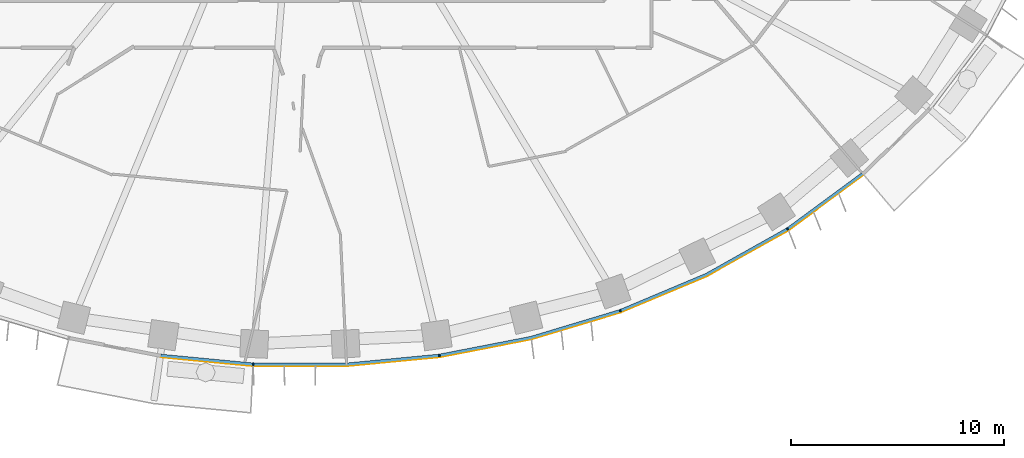
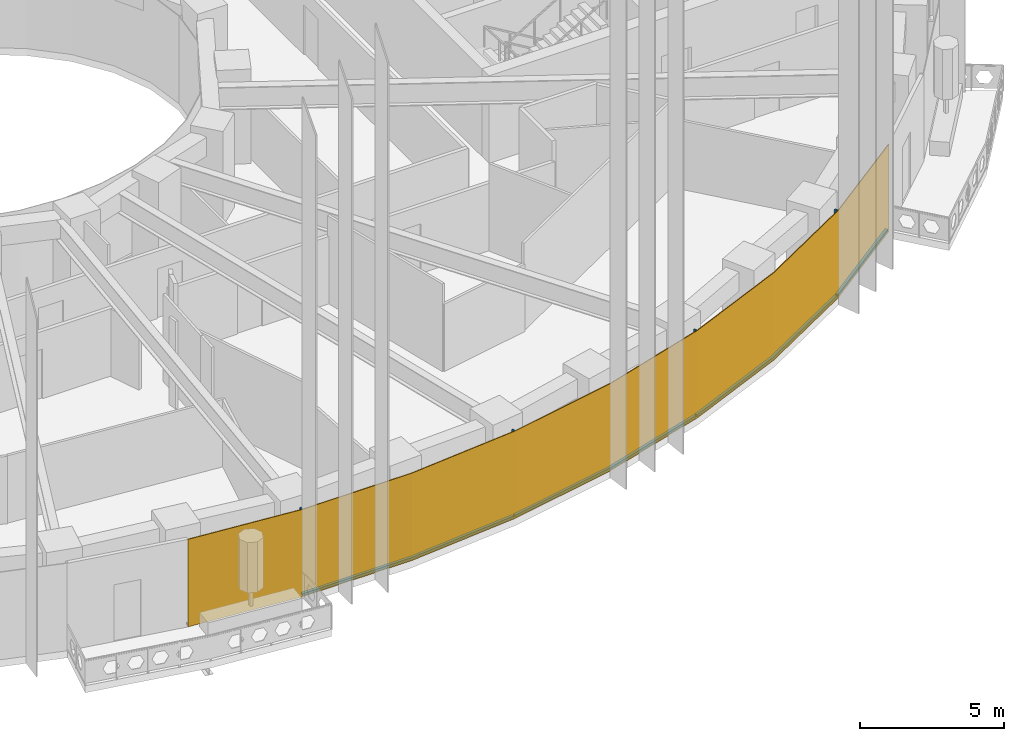
# One storey, part 10 of 20: 9 members, 1 curtain wall.
"""IFC4 building model written with IfcOpenShell, lengths in metres."""

from ifc_helpers import new_model, si_unit, direction, frame, origin, origin_2d, place, context, subcontext, project, spatial, polyline, rectangle, outline, extrude, material, layer, layer_set, material_profile, profile_set, type_object, element, aggregate, save


model = new_model("IFC4")

# Units and contexts
model_context = context("Model", 3, precision=1e-05, world=origin(), true_north=direction((0.0, 1.0)))
body_context = subcontext(model_context, "Body", "Model", "MODEL_VIEW")
ifc_project = project(units=[si_unit("LENGTHUNIT", "METRE"), si_unit("AREAUNIT", "SQUARE_METRE"), si_unit("VOLUMEUNIT", "CUBIC_METRE"), si_unit("PLANEANGLEUNIT", "RADIAN"), si_unit("MASSUNIT", "GRAM", prefix="KILO")], contexts=[model_context])

# Member
ifc_material_1 = material(Name="Aluminium 6063-T6 black anodised", Category="aluminium")
ifc_material_profile = material_profile(ifc_material_1, rectangle(XDim=0.1201171875, YDim=0.06005859375, at=origin_2d()), Name="120x60")
ifc_profile_set = profile_set([ifc_material_profile], Name="Aluminium 6063-T6 black anodised")
member_type_1 = type_object("IfcMemberType", Name="ENV-MULLION-A-120", PredefinedType="MULLION", material=ifc_profile_set)
site_placement = place(None, origin())
building_placement = place(site_placement, origin())
storey_placement = place(building_placement, frame((0.0, 0.0, 88.0)))
member_1_placement = place(storey_placement, frame((-2.188720703125, -27.856201171875, 0.0), z_axis=(0.0, 0.0, 1.0), x_axis=(0.047557873581, 0.998868484166, 0.0)))
member_1 = element("IfcMember", 1, at=member_1_placement, type_object=member_type_1, Name="Mullion A radial 35", PredefinedType="MULLION", context=body_context, shape_type="SweptSolid", body=[
    extrude(rectangle(XDim=0.1201171875, YDim=0.06005859375, at=origin_2d()), origin(), (0.0, 0.0, 1.0), 3.699951171875),
])

member_2_placement = place(storey_placement, frame((6.54638671875, -27.440185546875, 0.0), z_axis=(0.0, 0.0, 1.0), x_axis=(-0.143082012705, 0.989710835366, 0.0)))
member_2 = element("IfcMember", 2, at=member_2_placement, type_object=member_type_1, Name="Mullion A radial 37", PredefinedType="MULLION", context=body_context, shape_type="SweptSolid", body=[
    extrude(rectangle(XDim=0.1201171875, YDim=0.06005859375, at=origin_2d()), origin(), (0.0, 0.0, 1.0), 3.699951171875),
])

member_3_placement = place(storey_placement, frame((15.0341796875, -25.34375, 0.0), z_axis=(0.0, 0.0, 1.0), x_axis=(-0.338379256581, 0.941009818608, 0.0)))
member_3 = element("IfcMember", 3, at=member_3_placement, type_object=member_type_1, Name="Mullion A radial 39", PredefinedType="MULLION", context=body_context, shape_type="SweptSolid", body=[
    extrude(rectangle(XDim=0.1201171875, YDim=0.06005859375, at=origin_2d()), origin(), (0.0, 0.0, 1.0), 3.699951171875),
])

member_4_placement = place(storey_placement, frame((22.882568359375, -21.506591796875, 0.0), z_axis=(0.0, 0.0, 1.0), x_axis=(-0.542279153225, 0.840198381323, 0.0)))
member_4 = element("IfcMember", 4, at=member_4_placement, type_object=member_type_1, Name="Mullion A radial 41", PredefinedType="MULLION", context=body_context, shape_type="SweptSolid", body=[
    extrude(rectangle(XDim=0.1201171875, YDim=0.06005859375, at=origin_2d()), origin(), (0.0, 0.0, 1.0), 3.699951171875),
])

ifc_material_2 = material(Name="Aluminium 6063-T6 black anodised", Category="aluminium")
member_type_2 = type_object("IfcMemberType", Name="ENV-TRANSOM-A", PredefinedType="USERDEFINED", material=ifc_material_2)
member_5_placement = place(storey_placement, origin())
member_5 = element("IfcMember", 5, at=member_5_placement, type_object=member_type_2, Name="Transom A radial 34-35", ObjectType="TRANSOM", PredefinedType="USERDEFINED", context=body_context, shape_type="SweptSolid", body=[
    extrude(outline(polyline([(-6.53515625, -27.50146484375), (-2.219482421875, -27.913330078125), (-2.2138671875, -27.793212890625), (-6.51806640625, -27.382568359375), (-6.53515625, -27.50146484375)])), origin(), (0.0, 0.0, 1.0), 0.10009765625),
])

member_6_placement = place(storey_placement, origin())
member_6 = element("IfcMember", 6, at=member_6_placement, type_object=member_type_2, Name="Transom A radial 35-37", ObjectType="TRANSOM", PredefinedType="USERDEFINED", context=body_context, shape_type="SweptSolid", body=[
    extrude(outline(polyline([(-2.163818359375, -27.916015625), (2.191650390625, -27.916015625), (6.527099609375, -27.502197265625), (6.510009765625, -27.38330078125), (2.185791015625, -27.7958984375), (-2.157958984375, -27.7958984375), (-2.163818359375, -27.916015625)])), origin(), (0.0, 0.0, 1.0), 0.10009765625),
])

member_7_placement = place(storey_placement, origin())
member_7 = element("IfcMember", 7, at=member_7_placement, type_object=member_type_2, Name="Transom A radial 37-39", ObjectType="TRANSOM", PredefinedType="USERDEFINED", context=body_context, shape_type="SweptSolid", body=[
    extrude(outline(polyline([(6.58251953125, -27.494140625), (10.857666015625, -26.6630859375), (15.027587890625, -25.408203125), (14.987060546875, -25.295166015625), (10.828857421875, -26.54638671875), (6.5654296875, -27.375244140625), (6.58251953125, -27.494140625)])), origin(), (0.0, 0.0, 1.0), 0.10009765625),
])

member_8_placement = place(storey_placement, origin())
member_8 = element("IfcMember", 8, at=member_8_placement, type_object=member_type_2, Name="Transom A radial 39-41", ObjectType="TRANSOM", PredefinedType="USERDEFINED", context=body_context, shape_type="SweptSolid", body=[
    extrude(outline(polyline([(15.080322265625, -25.389404296875), (19.093994140625, -23.701416015625), (22.890625, -21.570556640625), (22.825439453125, -21.469482421875), (19.041259765625, -23.593505859375), (15.03955078125, -25.276123046875), (15.080322265625, -25.389404296875)])), origin(), (0.0, 0.0, 1.0), 0.10009765625),
])

member_9_placement = place(storey_placement, origin())
member_9 = element("IfcMember", 9, at=member_9_placement, type_object=member_type_2, Name="Transom A radial 41-42", ObjectType="TRANSOM", PredefinedType="USERDEFINED", context=body_context, shape_type="SweptSolid", body=[
    extrude(outline(polyline([(22.937744140625, -21.540283203125), (26.42626953125, -18.970703125), (26.348388671875, -18.87890625), (22.87255859375, -21.439208984375), (22.937744140625, -21.540283203125)])), origin(), (0.0, 0.0, 1.0), 0.10009765625),
])

# Site, building, storey
site = spatial("IfcSite", under=ifc_project, at=site_placement, CompositionType="ELEMENT")
building = spatial("IfcBuilding", under=site, at=building_placement, Name="Noorbagh Ring Tower", CompositionType="ELEMENT")
storey = spatial("IfcBuildingStorey", under=building, at=storey_placement, Name="L19", CompositionType="ELEMENT", Elevation=88.0)

# Curtain wall
ifc_material_3 = material(Name="Glass dark tinted laminated", Category="glass")
ifc_layer = layer(ifc_material_3, 0.031982421875)
ifc_layer_set = layer_set([ifc_layer], Name="Glass dark tinted laminated")
curtain_wall_type = type_object("IfcCurtainWallType", Name="ENV-CW-A", PredefinedType="NOTDEFINED", material=ifc_layer_set)
curtain_wall_placement = place(storey_placement, origin())
curtain_wall = element("IfcCurtainWall", 10, at=curtain_wall_placement, inside=storey, type_object=curtain_wall_type, Name="Curtain wall A R34", PredefinedType="NOTDEFINED", context=body_context, shape_type="SweptSolid", body=[
    extrude(outline(polyline([(-6.539794921875, -27.533203125), (-2.193115234375, -27.947998046875), (2.193115234375, -27.947998046875), (6.559814453125, -27.53125), (10.865234375, -26.6943359375), (15.065185546875, -25.430419921875), (19.108154296875, -23.730224609375), (22.9326171875, -21.583740234375), (26.447021484375, -18.9951171875), (26.42626953125, -18.970703125), (22.9150390625, -21.556884765625), (19.093994140625, -23.701416015625), (15.054443359375, -25.400146484375), (10.857666015625, -26.6630859375), (6.55517578125, -27.49951171875), (2.191650390625, -27.916015625), (-2.191650390625, -27.916015625), (-6.53515625, -27.50146484375), (-6.539794921875, -27.533203125)])), origin(), (0.0, 0.0, 1.0), 3.699951171875),
])

aggregate(curtain_wall, [member_1, member_2, member_3, member_4, member_5, member_6, member_7, member_8, member_9])

save(model, "model.ifc")
